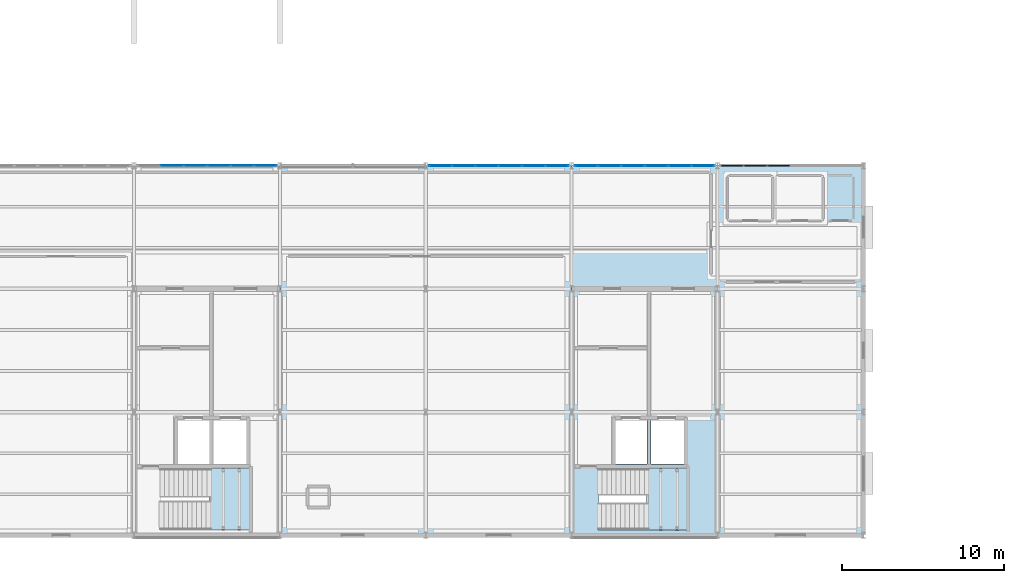
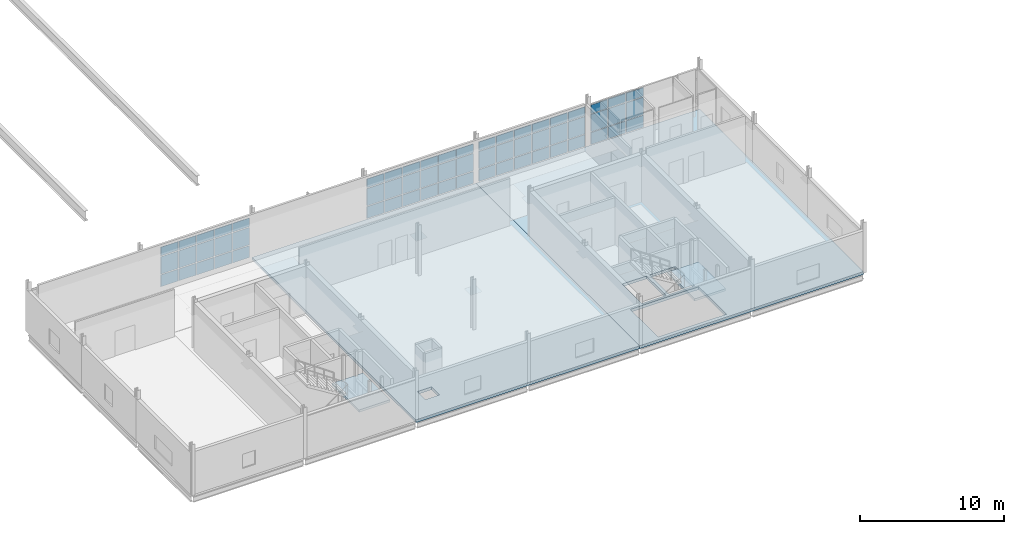
# One storey, part 69 of 96: 60 plates, 4 slabs, 6 elements without a shape of their own.
"""IFC4 building model written with IfcOpenShell, lengths in metres."""

import ifcopenshell
import ifcopenshell.guid

model = None  # the IFC model being written
_history = None  # IfcOwnerHistory: only IFC2X3 demands one
_inside = {}  # id of a spatial element -> (the spatial element, [elements in it])
_under = {}  # id of a project, library or spatial element -> (it, [spatial elements below it])
_declared = {}  # id of a project -> (the project, [libraries it declares])
_typed = {}  # id of a type object -> (the type object, [elements of that type])
_made_of = {}  # id of a material, layer set ... -> (it, [elements and type objects made of it])


def new_model(schema):
    """Start an empty IFC model of exactly this schema.

    Asked for "IFC4X3", IfcOpenShell would pick the latest addendum, in which some entities
    have other attributes; the version numbers below select the first issue.
    IFC2X3 requires an IfcOwnerHistory on every rooted entity: one is made here for all.
    """
    global model, _history
    if schema == "IFC4X3":
        model = ifcopenshell.file(schema_version=(4, 3, 0, 0))
    else:
        model = ifcopenshell.file(schema=schema)
    _inside.clear()
    _under.clear()
    _declared.clear()
    _typed.clear()
    _made_of.clear()
    _history = None
    if model.schema == "IFC2X3":
        org = make("IfcOrganization", Name="unknown")
        user = make(
            "IfcPersonAndOrganization",
            ThePerson=make("IfcPerson", FamilyName="unknown"),
            TheOrganization=org,
        )
        app = make(
            "IfcApplication",
            ApplicationDeveloper=org,
            Version="unknown",
            ApplicationFullName="unknown",
            ApplicationIdentifier="unknown",
        )
        _history = make(
            "IfcOwnerHistory",
            OwningUser=user,
            OwningApplication=app,
            ChangeAction="ADDED",
            CreationDate=0,
        )
    return model


def make(cls, **values):
    """One entity of the class cls with the attributes given. An attribute that is None is left unset."""
    return model.create_entity(
        cls, **{name: value for name, value in values.items() if value is not None}
    )


def rooted(cls, **values):
    """An entity with a GlobalId (a new one), such as an element, a storey or a relation."""
    return make(cls, GlobalId=ifcopenshell.guid.new(), OwnerHistory=_history, **values)


def si_unit(unit_type, name, prefix=None):
    """IfcSIUnit, for example si_unit("LENGTHUNIT", "METRE", prefix="MILLI")."""
    return make("IfcSIUnit", UnitType=unit_type, Prefix=prefix, Name=name)


def assignment(units):
    """IfcUnitAssignment: the units of a project."""
    return None if units is None else make("IfcUnitAssignment", Units=units)


def point(xyz):
    """IfcCartesianPoint."""
    return None if xyz is None else make("IfcCartesianPoint", Coordinates=xyz)


def direction(xyz):
    """IfcDirection."""
    return None if xyz is None else make("IfcDirection", DirectionRatios=xyz)


def frame(location, z_axis=None, x_axis=None):
    """IfcAxis2Placement3D, a coordinate frame: its origin and axes. An axis left out is left unset."""
    return make(
        "IfcAxis2Placement3D",
        Location=point(location),
        Axis=direction(z_axis),
        RefDirection=direction(x_axis),
    )


def frame_2d(location, x_axis=None):
    """IfcAxis2Placement2D, a coordinate frame in the plane: its origin and x axis."""
    return make(
        "IfcAxis2Placement2D", Location=point(location), RefDirection=direction(x_axis)
    )


def origin():
    """The frame at (0, 0, 0) with its axes left unset."""
    return frame((0.0, 0.0, 0.0))


def origin_2d():
    """The frame at (0, 0) in the plane with its x axis left unset."""
    return frame_2d((0.0, 0.0))


def place(relative_to, where):
    """IfcLocalPlacement: puts the frame where relative to a parent placement (None: the world)."""
    return make(
        "IfcLocalPlacement", PlacementRelTo=relative_to, RelativePlacement=where
    )


def context(
    kind, dimensions, precision=None, world=None, true_north=None, identifier=None
):
    """IfcGeometricRepresentationContext, for example the 3D "Model" context."""
    return make(
        "IfcGeometricRepresentationContext",
        ContextIdentifier=identifier,
        ContextType=kind,
        CoordinateSpaceDimension=dimensions,
        Precision=precision,
        WorldCoordinateSystem=world,
        TrueNorth=true_north,
    )


def subcontext(parent, identifier, kind, view, scale=None):
    """IfcGeometricRepresentationSubContext, for example "Body" below "Model"."""
    return make(
        "IfcGeometricRepresentationSubContext",
        ContextIdentifier=identifier,
        ContextType=kind,
        ParentContext=parent,
        TargetScale=scale,
        TargetView=view,
    )


def project(units=None, contexts=None):
    """IfcProject with its units and contexts."""
    return rooted(
        "IfcProject",
        Name="project",
        RepresentationContexts=contexts,
        UnitsInContext=assignment(units),
    )


def spatial(cls, under=None, at=None, **own):
    """A site, building, storey or space (cls), placed at a placement, below another one or the project."""
    s = rooted(cls, ObjectPlacement=at, **own)
    if under is not None:
        _under.setdefault(under.id(), (under, []))[1].append(s)
    return s


def polyline(points):
    """IfcPolyline through the points."""
    return make("IfcPolyline", Points=[point(p) for p in points])


def profile(cls, at=None, kind="AREA", **sizes):
    """A parametric profile (cls). Its sizes go by their IFC names, for example OverallWidth=200.0."""
    return make(cls, ProfileType=kind, Position=at, **sizes)


def rectangle(**sizes):
    """IfcRectangleProfileDef."""
    return profile("IfcRectangleProfileDef", **sizes)


def outline(outer, holes=None, kind="AREA"):
    """IfcArbitraryClosedProfileDef: a profile drawn as a closed curve; with holes, ...WithVoids."""
    if holes is None:
        return make("IfcArbitraryClosedProfileDef", ProfileType=kind, OuterCurve=outer)
    return make(
        "IfcArbitraryProfileDefWithVoids",
        ProfileType=kind,
        OuterCurve=outer,
        InnerCurves=holes,
    )


def extrude(swept, where, along, depth):
    """IfcExtrudedAreaSolid: the profile swept, set in the frame where, extruded along a direction by depth."""
    return make(
        "IfcExtrudedAreaSolid",
        SweptArea=swept,
        Position=where,
        ExtrudedDirection=direction(along),
        Depth=depth,
    )


def shape(context_of_items, identifier, shape_type, items):
    """IfcShapeRepresentation: the items that make up one representation, for example the "Body"."""
    return make(
        "IfcShapeRepresentation",
        ContextOfItems=context_of_items,
        RepresentationIdentifier=identifier,
        RepresentationType=shape_type,
        Items=items,
    )


def material(Name=None, Category=None):
    """IfcMaterial."""
    return make("IfcMaterial", Name=Name, Category=Category)


def layer(
    of_material, thickness, ventilated=None, Name=None, Category=None, Priority=None
):
    """IfcMaterialLayer: one layer of a wall or slab, of a material (None: an air gap)."""
    return make(
        "IfcMaterialLayer",
        Material=of_material,
        LayerThickness=thickness,
        IsVentilated=ventilated,
        Name=Name,
        Category=Category,
        Priority=Priority,
    )


def layer_set(layers, Name=None):
    """IfcMaterialLayerSet."""
    return make("IfcMaterialLayerSet", MaterialLayers=layers, LayerSetName=Name)


def made_of(thing, what):
    """Note that an element or type object is made of a material, layer set ...; save() writes the relation."""
    if what is not None:
        _made_of.setdefault(what.id(), (what, []))[1].append(thing)
    return thing


def type_object(cls, material=None, **own):
    """A type object (cls), such as IfcWallType, which elements share."""
    return made_of(rooted(cls, **own), material)


def element(
    cls,
    number,
    at=None,
    inside=None,
    cuts=None,
    type_object=None,
    material=None,
    context=None,
    identifier="Body",
    shape_type=None,
    held_by="IfcProductDefinitionShape",
    body=None,
    shapes=None,
    **own,
):
    """One element of the class cls, such as IfcWall. Its Tag is "e" and its number.

    at: its placement. inside: the storey or other place that contains it. cuts: it is an
    opening in that element (IfcRelVoidsElement). A single representation is given by context,
    identifier, shape_type and body (its items); several are given by shapes. held_by: the class
    of the entity that holds the representations. save() writes the other relations.
    """
    e = rooted(cls, Tag="e%d" % number, ObjectPlacement=at, **own)
    if body is not None:
        shapes = [shape(context, identifier, shape_type, body)]
    if shapes is not None:
        e.Representation = make(held_by, Representations=shapes)
    if inside is not None:
        _inside.setdefault(inside.id(), (inside, []))[1].append(e)
    if cuts is not None:
        rooted(
            "IfcRelVoidsElement", RelatingBuildingElement=cuts, RelatedOpeningElement=e
        )
    if type_object is not None:
        _typed.setdefault(type_object.id(), (type_object, []))[1].append(e)
    return made_of(e, material)


def aggregate(whole, parts):
    """IfcRelAggregates: a whole, such as a stair, and the parts it consists of."""
    return rooted("IfcRelAggregates", RelatingObject=whole, RelatedObjects=parts)


def save(model, path):
    """Write the relations noted so far, then the file.

    IfcRelAggregates (storeys below a building ...), IfcRelContainedInSpatialStructure (elements
    in a storey), IfcRelDefinesByType, IfcRelAssociatesMaterial and IfcRelDeclares: one each for
    every whole, place, type object, material and project.
    """
    for whole, parts in _under.values():
        aggregate(whole, parts)
    for where, things in _inside.values():
        rooted(
            "IfcRelContainedInSpatialStructure",
            RelatedElements=things,
            RelatingStructure=where,
        )
    for kind, things in _typed.values():
        rooted("IfcRelDefinesByType", RelatedObjects=things, RelatingType=kind)
    for what, things in _made_of.values():
        rooted("IfcRelAssociatesMaterial", RelatedObjects=things, RelatingMaterial=what)
    for by, libraries in _declared.values():
        rooted("IfcRelDeclares", RelatingContext=by, RelatedDefinitions=libraries)
    model.write(path)


model = new_model("IFC4")

# Units and contexts
model_context = context("Model", 3, precision=1e-05, world=origin(), true_north=direction((0.0, 1.0)))
body_context = subcontext(model_context, "Body", "Model", "MODEL_VIEW")
ifc_project = project(units=[si_unit("LENGTHUNIT", "METRE"), si_unit("AREAUNIT", "SQUARE_METRE"), si_unit("VOLUMEUNIT", "CUBIC_METRE"), si_unit("PLANEANGLEUNIT", "RADIAN"), si_unit("MASSUNIT", "GRAM", prefix="KILO")], contexts=[model_context])

# Site, building, storey
site_placement = place(None, origin())
site = spatial("IfcSite", under=ifc_project, at=site_placement, CompositionType="ELEMENT")
building_placement = place(site_placement, origin())
building = spatial("IfcBuilding", under=site, at=building_placement, Name="Caisbarro Railhouse Central Library", CompositionType="ELEMENT")
storey_placement = place(building_placement, frame((0.0, 0.0, 13.679931640625)))
storey = spatial("IfcBuildingStorey", under=building, at=storey_placement, Name="L03", CompositionType="ELEMENT", Elevation=13.679931640625)

# Curtain wall, plates
ifc_material_1 = material(Name="Anodised architectural aluminium", Category="aluminium")
curtain_wall_type = type_object("IfcCurtainWallType", Name="CW-CW02", PredefinedType="NOTDEFINED", material=ifc_material_1)
curtain_wall_1_placement = place(storey_placement, origin())
curtain_wall_1 = element("IfcCurtainWall", 1, at=curtain_wall_1_placement, inside=storey, type_object=curtain_wall_type, Name="CW02 curtain wall L03 #63", PredefinedType="NOTDEFINED")
ifc_material_2 = material(Name="Double low-e laminated solar-control glass", Category="glass")
ifc_layer_1 = layer(ifc_material_2, 0.028076171875, Name="Double low-e laminated solar-control glass")
ifc_layer_set_1 = layer_set([ifc_layer_1], Name="Double low-e laminated solar-control glass")
plate_type_1 = type_object("IfcPlateType", Name="CWP-CP28", PredefinedType="CURTAIN_PANEL", material=ifc_layer_set_1)
plate_1_placement = place(storey_placement, frame((65.330078125, 22.800048828125, 0.0751953125), z_axis=(0.0, 0.0, 1.0), x_axis=(1.0, 0.0, 0.0)))
plate_1 = element("IfcPlate", 2, at=plate_1_placement, type_object=plate_type_1, Name="CW02 panel 2.1", PredefinedType="CURTAIN_PANEL", context=body_context, shape_type="SweptSolid", body=[
    extrude(rectangle(XDim=1.381591796875, YDim=0.028076171875, at=origin_2d()), origin(), (0.0, 0.0, 1.0), 1.007568359375),
])
plate_2_placement = place(storey_placement, frame((65.330078125, 22.800048828125, 1.15771484375), z_axis=(0.0, 0.0, 1.0), x_axis=(1.0, 0.0, 0.0)))
plate_2 = element("IfcPlate", 3, at=plate_2_placement, type_object=plate_type_1, Name="CW02 panel 2.2", PredefinedType="CURTAIN_PANEL", context=body_context, shape_type="SweptSolid", body=[
    extrude(rectangle(XDim=1.381591796875, YDim=0.028076171875, at=origin_2d()), origin(), (0.0, 0.0, 1.0), 1.465087890625),
])
plate_3_placement = place(storey_placement, frame((65.330078125, 22.800048828125, 2.69775390625), z_axis=(0.0, 0.0, 1.0), x_axis=(1.0, 0.0, 0.0)))
plate_3 = element("IfcPlate", 4, at=plate_3_placement, type_object=plate_type_1, Name="CW02 panel 2.3", PredefinedType="CURTAIN_PANEL", context=body_context, shape_type="SweptSolid", body=[
    extrude(rectangle(XDim=1.381591796875, YDim=0.028076171875, at=origin_2d()), origin(), (0.0, 0.0, 1.0), 0.737548828125),
])
plate_4_placement = place(storey_placement, frame((66.776611328125, 22.800048828125, 0.0751953125), z_axis=(0.0, 0.0, 1.0), x_axis=(1.0, 0.0, 0.0)))
plate_4 = element("IfcPlate", 5, at=plate_4_placement, type_object=plate_type_1, Name="CW02 panel 3.1", PredefinedType="CURTAIN_PANEL", context=body_context, shape_type="SweptSolid", body=[
    extrude(rectangle(XDim=1.381591796875, YDim=0.028076171875, at=origin_2d()), origin(), (0.0, 0.0, 1.0), 1.007568359375),
])
plate_5_placement = place(storey_placement, frame((66.776611328125, 22.800048828125, 1.15771484375), z_axis=(0.0, 0.0, 1.0), x_axis=(1.0, 0.0, 0.0)))
plate_5 = element("IfcPlate", 6, at=plate_5_placement, type_object=plate_type_1, Name="CW02 panel 3.2", PredefinedType="CURTAIN_PANEL", context=body_context, shape_type="SweptSolid", body=[
    extrude(rectangle(XDim=1.381591796875, YDim=0.028076171875, at=origin_2d()), origin(), (0.0, 0.0, 1.0), 1.465087890625),
])
plate_6_placement = place(storey_placement, frame((66.776611328125, 22.800048828125, 2.69775390625), z_axis=(0.0, 0.0, 1.0), x_axis=(1.0, 0.0, 0.0)))
plate_6 = element("IfcPlate", 7, at=plate_6_placement, type_object=plate_type_1, Name="CW02 panel 3.3", PredefinedType="CURTAIN_PANEL", context=body_context, shape_type="SweptSolid", body=[
    extrude(rectangle(XDim=1.381591796875, YDim=0.028076171875, at=origin_2d()), origin(), (0.0, 0.0, 1.0), 0.737548828125),
])
plate_7_placement = place(storey_placement, frame((68.223388671875, 22.800048828125, 0.0751953125), z_axis=(0.0, 0.0, 1.0), x_axis=(1.0, 0.0, 0.0)))
plate_7 = element("IfcPlate", 8, at=plate_7_placement, type_object=plate_type_1, Name="CW02 panel 4.1", PredefinedType="CURTAIN_PANEL", context=body_context, shape_type="SweptSolid", body=[
    extrude(rectangle(XDim=1.381591796875, YDim=0.028076171875, at=origin_2d()), origin(), (0.0, 0.0, 1.0), 1.007568359375),
])
plate_8_placement = place(storey_placement, frame((68.223388671875, 22.800048828125, 1.15771484375), z_axis=(0.0, 0.0, 1.0), x_axis=(1.0, 0.0, 0.0)))
plate_8 = element("IfcPlate", 9, at=plate_8_placement, type_object=plate_type_1, Name="CW02 panel 4.2", PredefinedType="CURTAIN_PANEL", context=body_context, shape_type="SweptSolid", body=[
    extrude(rectangle(XDim=1.381591796875, YDim=0.028076171875, at=origin_2d()), origin(), (0.0, 0.0, 1.0), 1.465087890625),
])
plate_9_placement = place(storey_placement, frame((68.223388671875, 22.800048828125, 2.69775390625), z_axis=(0.0, 0.0, 1.0), x_axis=(1.0, 0.0, 0.0)))
plate_9 = element("IfcPlate", 10, at=plate_9_placement, type_object=plate_type_1, Name="CW02 panel 4.3", PredefinedType="CURTAIN_PANEL", context=body_context, shape_type="SweptSolid", body=[
    extrude(rectangle(XDim=1.381591796875, YDim=0.028076171875, at=origin_2d()), origin(), (0.0, 0.0, 1.0), 0.737548828125),
])
plate_10_placement = place(storey_placement, frame((69.669921875, 22.800048828125, 0.0751953125), z_axis=(0.0, 0.0, 1.0), x_axis=(1.0, 0.0, 0.0)))
plate_10 = element("IfcPlate", 11, at=plate_10_placement, type_object=plate_type_1, Name="CW02 panel 5.1", PredefinedType="CURTAIN_PANEL", context=body_context, shape_type="SweptSolid", body=[
    extrude(rectangle(XDim=1.381591796875, YDim=0.028076171875, at=origin_2d()), origin(), (0.0, 0.0, 1.0), 1.007568359375),
])
plate_11_placement = place(storey_placement, frame((69.669921875, 22.800048828125, 1.15771484375), z_axis=(0.0, 0.0, 1.0), x_axis=(1.0, 0.0, 0.0)))
plate_11 = element("IfcPlate", 12, at=plate_11_placement, type_object=plate_type_1, Name="CW02 panel 5.2", PredefinedType="CURTAIN_PANEL", context=body_context, shape_type="SweptSolid", body=[
    extrude(rectangle(XDim=1.381591796875, YDim=0.028076171875, at=origin_2d()), origin(), (0.0, 0.0, 1.0), 1.465087890625),
])
plate_12_placement = place(storey_placement, frame((69.669921875, 22.800048828125, 2.69775390625), z_axis=(0.0, 0.0, 1.0), x_axis=(1.0, 0.0, 0.0)))
plate_12 = element("IfcPlate", 13, at=plate_12_placement, type_object=plate_type_1, Name="CW02 panel 5.3", PredefinedType="CURTAIN_PANEL", context=body_context, shape_type="SweptSolid", body=[
    extrude(rectangle(XDim=1.381591796875, YDim=0.028076171875, at=origin_2d()), origin(), (0.0, 0.0, 1.0), 0.737548828125),
])
plate_13_placement = place(storey_placement, frame((71.100341796875, 22.800048828125, 0.0751953125), z_axis=(0.0, 0.0, 1.0), x_axis=(1.0, 0.0, 0.0)))
plate_13 = element("IfcPlate", 14, at=plate_13_placement, type_object=plate_type_1, Name="CW02 panel 6.1", PredefinedType="CURTAIN_PANEL", context=body_context, shape_type="SweptSolid", body=[
    extrude(rectangle(XDim=1.34912109375, YDim=0.028076171875, at=origin_2d()), origin(), (0.0, 0.0, 1.0), 1.007568359375),
])
plate_14_placement = place(storey_placement, frame((71.100341796875, 22.800048828125, 1.15771484375), z_axis=(0.0, 0.0, 1.0), x_axis=(1.0, 0.0, 0.0)))
plate_14 = element("IfcPlate", 15, at=plate_14_placement, type_object=plate_type_1, Name="CW02 panel 6.2", PredefinedType="CURTAIN_PANEL", context=body_context, shape_type="SweptSolid", body=[
    extrude(rectangle(XDim=1.34912109375, YDim=0.028076171875, at=origin_2d()), origin(), (0.0, 0.0, 1.0), 1.465087890625),
])
plate_15_placement = place(storey_placement, frame((71.100341796875, 22.800048828125, 2.69775390625), z_axis=(0.0, 0.0, 1.0), x_axis=(1.0, 0.0, 0.0)))
plate_15 = element("IfcPlate", 16, at=plate_15_placement, type_object=plate_type_1, Name="CW02 panel 6.3", PredefinedType="CURTAIN_PANEL", context=body_context, shape_type="SweptSolid", body=[
    extrude(rectangle(XDim=1.34912109375, YDim=0.028076171875, at=origin_2d()), origin(), (0.0, 0.0, 1.0), 0.737548828125),
])
aggregate(curtain_wall_1, [plate_1, plate_2, plate_3, plate_4, plate_5, plate_6, plate_7, plate_8, plate_9, plate_10, plate_11, plate_12, plate_13, plate_14, plate_15])

curtain_wall_2_placement = place(storey_placement, origin())
curtain_wall_2 = element("IfcCurtainWall", 17, at=curtain_wall_2_placement, inside=storey, type_object=curtain_wall_type, Name="CW02 curtain wall L03 #64", PredefinedType="NOTDEFINED")
ifc_layer_2 = layer(ifc_material_2, 0.048095703125, Name="Double low-e laminated solar-control glass")
ifc_layer_set_2 = layer_set([ifc_layer_2], Name="Double low-e laminated solar-control glass")
plate_type_2 = type_object("IfcPlateType", Name="CWP-CP48", PredefinedType="CURTAIN_PANEL", material=ifc_layer_set_2)
plate_16_placement = place(storey_placement, frame((81.899658203125, 22.800048828125, 0.0751953125), z_axis=(0.0, 0.0, 1.0), x_axis=(1.0, 0.0, 0.0)))
plate_16 = element("IfcPlate", 18, at=plate_16_placement, type_object=plate_type_2, Name="CW02 panel 1.1", PredefinedType="CURTAIN_PANEL", context=body_context, shape_type="SweptSolid", body=[
    extrude(rectangle(XDim=1.34912109375, YDim=0.048095703125, at=origin_2d()), origin(), (0.0, 0.0, 1.0), 1.007568359375),
])
plate_17_placement = place(storey_placement, frame((81.899658203125, 22.800048828125, 1.15771484375), z_axis=(0.0, 0.0, 1.0), x_axis=(1.0, 0.0, 0.0)))
plate_17 = element("IfcPlate", 19, at=plate_17_placement, type_object=plate_type_2, Name="CW02 panel 1.2", PredefinedType="CURTAIN_PANEL", context=body_context, shape_type="SweptSolid", body=[
    extrude(rectangle(XDim=1.34912109375, YDim=0.048095703125, at=origin_2d()), origin(), (0.0, 0.0, 1.0), 1.465087890625),
])
plate_18_placement = place(storey_placement, frame((81.899658203125, 22.800048828125, 2.69775390625), z_axis=(0.0, 0.0, 1.0), x_axis=(1.0, 0.0, 0.0)))
plate_18 = element("IfcPlate", 20, at=plate_18_placement, type_object=plate_type_2, Name="CW02 panel 1.3", PredefinedType="CURTAIN_PANEL", context=body_context, shape_type="SweptSolid", body=[
    extrude(rectangle(XDim=1.34912109375, YDim=0.048095703125, at=origin_2d()), origin(), (0.0, 0.0, 1.0), 0.737548828125),
])
plate_19_placement = place(storey_placement, frame((83.330078125, 22.800048828125, 0.0751953125), z_axis=(0.0, 0.0, 1.0), x_axis=(1.0, 0.0, 0.0)))
plate_19 = element("IfcPlate", 21, at=plate_19_placement, type_object=plate_type_2, Name="CW02 panel 2.1", PredefinedType="CURTAIN_PANEL", context=body_context, shape_type="SweptSolid", body=[
    extrude(rectangle(XDim=1.381591796875, YDim=0.048095703125, at=origin_2d()), origin(), (0.0, 0.0, 1.0), 1.007568359375),
])
plate_20_placement = place(storey_placement, frame((83.330078125, 22.800048828125, 1.15771484375), z_axis=(0.0, 0.0, 1.0), x_axis=(1.0, 0.0, 0.0)))
plate_20 = element("IfcPlate", 22, at=plate_20_placement, type_object=plate_type_2, Name="CW02 panel 2.2", PredefinedType="CURTAIN_PANEL", context=body_context, shape_type="SweptSolid", body=[
    extrude(rectangle(XDim=1.381591796875, YDim=0.048095703125, at=origin_2d()), origin(), (0.0, 0.0, 1.0), 1.465087890625),
])
plate_21_placement = place(storey_placement, frame((83.330078125, 22.800048828125, 2.69775390625), z_axis=(0.0, 0.0, 1.0), x_axis=(1.0, 0.0, 0.0)))
plate_21 = element("IfcPlate", 23, at=plate_21_placement, type_object=plate_type_2, Name="CW02 panel 2.3", PredefinedType="CURTAIN_PANEL", context=body_context, shape_type="SweptSolid", body=[
    extrude(rectangle(XDim=1.381591796875, YDim=0.048095703125, at=origin_2d()), origin(), (0.0, 0.0, 1.0), 0.737548828125),
])
plate_22_placement = place(storey_placement, frame((84.776611328125, 22.800048828125, 0.0751953125), z_axis=(0.0, 0.0, 1.0), x_axis=(1.0, 0.0, 0.0)))
plate_22 = element("IfcPlate", 24, at=plate_22_placement, type_object=plate_type_2, Name="CW02 panel 3.1", PredefinedType="CURTAIN_PANEL", context=body_context, shape_type="SweptSolid", body=[
    extrude(rectangle(XDim=1.381591796875, YDim=0.048095703125, at=origin_2d()), origin(), (0.0, 0.0, 1.0), 1.007568359375),
])
plate_23_placement = place(storey_placement, frame((84.776611328125, 22.800048828125, 1.15771484375), z_axis=(0.0, 0.0, 1.0), x_axis=(1.0, 0.0, 0.0)))
plate_23 = element("IfcPlate", 25, at=plate_23_placement, type_object=plate_type_2, Name="CW02 panel 3.2", PredefinedType="CURTAIN_PANEL", context=body_context, shape_type="SweptSolid", body=[
    extrude(rectangle(XDim=1.381591796875, YDim=0.048095703125, at=origin_2d()), origin(), (0.0, 0.0, 1.0), 1.465087890625),
])
plate_24_placement = place(storey_placement, frame((84.776611328125, 22.800048828125, 2.69775390625), z_axis=(0.0, 0.0, 1.0), x_axis=(1.0, 0.0, 0.0)))
plate_24 = element("IfcPlate", 26, at=plate_24_placement, type_object=plate_type_2, Name="CW02 panel 3.3", PredefinedType="CURTAIN_PANEL", context=body_context, shape_type="SweptSolid", body=[
    extrude(rectangle(XDim=1.381591796875, YDim=0.048095703125, at=origin_2d()), origin(), (0.0, 0.0, 1.0), 0.737548828125),
])
plate_25_placement = place(storey_placement, frame((86.223388671875, 22.800048828125, 0.0751953125), z_axis=(0.0, 0.0, 1.0), x_axis=(1.0, 0.0, 0.0)))
plate_25 = element("IfcPlate", 27, at=plate_25_placement, type_object=plate_type_2, Name="CW02 panel 4.1", PredefinedType="CURTAIN_PANEL", context=body_context, shape_type="SweptSolid", body=[
    extrude(rectangle(XDim=1.381591796875, YDim=0.048095703125, at=origin_2d()), origin(), (0.0, 0.0, 1.0), 1.007568359375),
])
plate_26_placement = place(storey_placement, frame((86.223388671875, 22.800048828125, 1.15771484375), z_axis=(0.0, 0.0, 1.0), x_axis=(1.0, 0.0, 0.0)))
plate_26 = element("IfcPlate", 28, at=plate_26_placement, type_object=plate_type_2, Name="CW02 panel 4.2", PredefinedType="CURTAIN_PANEL", context=body_context, shape_type="SweptSolid", body=[
    extrude(rectangle(XDim=1.381591796875, YDim=0.048095703125, at=origin_2d()), origin(), (0.0, 0.0, 1.0), 1.465087890625),
])
plate_27_placement = place(storey_placement, frame((86.223388671875, 22.800048828125, 2.69775390625), z_axis=(0.0, 0.0, 1.0), x_axis=(1.0, 0.0, 0.0)))
plate_27 = element("IfcPlate", 29, at=plate_27_placement, type_object=plate_type_2, Name="CW02 panel 4.3", PredefinedType="CURTAIN_PANEL", context=body_context, shape_type="SweptSolid", body=[
    extrude(rectangle(XDim=1.381591796875, YDim=0.048095703125, at=origin_2d()), origin(), (0.0, 0.0, 1.0), 0.737548828125),
])
plate_28_placement = place(storey_placement, frame((87.669921875, 22.800048828125, 0.0751953125), z_axis=(0.0, 0.0, 1.0), x_axis=(1.0, 0.0, 0.0)))
plate_28 = element("IfcPlate", 30, at=plate_28_placement, type_object=plate_type_2, Name="CW02 panel 5.1", PredefinedType="CURTAIN_PANEL", context=body_context, shape_type="SweptSolid", body=[
    extrude(rectangle(XDim=1.381591796875, YDim=0.048095703125, at=origin_2d()), origin(), (0.0, 0.0, 1.0), 1.007568359375),
])
plate_29_placement = place(storey_placement, frame((87.669921875, 22.800048828125, 1.15771484375), z_axis=(0.0, 0.0, 1.0), x_axis=(1.0, 0.0, 0.0)))
plate_29 = element("IfcPlate", 31, at=plate_29_placement, type_object=plate_type_2, Name="CW02 panel 5.2", PredefinedType="CURTAIN_PANEL", context=body_context, shape_type="SweptSolid", body=[
    extrude(rectangle(XDim=1.381591796875, YDim=0.048095703125, at=origin_2d()), origin(), (0.0, 0.0, 1.0), 1.465087890625),
])
plate_30_placement = place(storey_placement, frame((87.669921875, 22.800048828125, 2.69775390625), z_axis=(0.0, 0.0, 1.0), x_axis=(1.0, 0.0, 0.0)))
plate_30 = element("IfcPlate", 32, at=plate_30_placement, type_object=plate_type_2, Name="CW02 panel 5.3", PredefinedType="CURTAIN_PANEL", context=body_context, shape_type="SweptSolid", body=[
    extrude(rectangle(XDim=1.381591796875, YDim=0.048095703125, at=origin_2d()), origin(), (0.0, 0.0, 1.0), 0.737548828125),
])
plate_31_placement = place(storey_placement, frame((89.100341796875, 22.800048828125, 0.0751953125), z_axis=(0.0, 0.0, 1.0), x_axis=(1.0, 0.0, 0.0)))
plate_31 = element("IfcPlate", 33, at=plate_31_placement, type_object=plate_type_2, Name="CW02 panel 6.1", PredefinedType="CURTAIN_PANEL", context=body_context, shape_type="SweptSolid", body=[
    extrude(rectangle(XDim=1.34912109375, YDim=0.048095703125, at=origin_2d()), origin(), (0.0, 0.0, 1.0), 1.007568359375),
])
plate_32_placement = place(storey_placement, frame((89.100341796875, 22.800048828125, 1.15771484375), z_axis=(0.0, 0.0, 1.0), x_axis=(1.0, 0.0, 0.0)))
plate_32 = element("IfcPlate", 34, at=plate_32_placement, type_object=plate_type_2, Name="CW02 panel 6.2", PredefinedType="CURTAIN_PANEL", context=body_context, shape_type="SweptSolid", body=[
    extrude(rectangle(XDim=1.34912109375, YDim=0.048095703125, at=origin_2d()), origin(), (0.0, 0.0, 1.0), 1.465087890625),
])
plate_33_placement = place(storey_placement, frame((89.100341796875, 22.800048828125, 2.69775390625), z_axis=(0.0, 0.0, 1.0), x_axis=(1.0, 0.0, 0.0)))
plate_33 = element("IfcPlate", 35, at=plate_33_placement, type_object=plate_type_2, Name="CW02 panel 6.3", PredefinedType="CURTAIN_PANEL", context=body_context, shape_type="SweptSolid", body=[
    extrude(rectangle(XDim=1.34912109375, YDim=0.048095703125, at=origin_2d()), origin(), (0.0, 0.0, 1.0), 0.737548828125),
])
aggregate(curtain_wall_2, [plate_16, plate_17, plate_18, plate_19, plate_20, plate_21, plate_22, plate_23, plate_24, plate_25, plate_26, plate_27, plate_28, plate_29, plate_30, plate_31, plate_32, plate_33])

curtain_wall_3_placement = place(storey_placement, origin())
curtain_wall_3 = element("IfcCurtainWall", 36, at=curtain_wall_3_placement, inside=storey, type_object=curtain_wall_type, Name="CW02 curtain wall L03 #65", PredefinedType="NOTDEFINED")
ifc_layer_3 = layer(ifc_material_2, 0.05810546875, Name="Double low-e laminated solar-control glass")
ifc_layer_set_3 = layer_set([ifc_layer_3], Name="Double low-e laminated solar-control glass")
plate_type_3 = type_object("IfcPlateType", Name="CWP-CP58", PredefinedType="CURTAIN_PANEL", material=ifc_layer_set_3)
plate_34_placement = place(storey_placement, frame((90.902099609375, 22.800048828125, 0.0751953125), z_axis=(0.0, 0.0, 1.0), x_axis=(1.0, 0.0, 0.0)))
plate_34 = element("IfcPlate", 37, at=plate_34_placement, type_object=plate_type_3, Name="CW02 panel 1.1", PredefinedType="CURTAIN_PANEL", context=body_context, shape_type="SweptSolid", body=[
    extrude(rectangle(XDim=1.334228515625, YDim=0.05810546875, at=origin_2d()), origin(), (0.0, 0.0, 1.0), 1.007568359375),
])
plate_35_placement = place(storey_placement, frame((90.902099609375, 22.800048828125, 1.15771484375), z_axis=(0.0, 0.0, 1.0), x_axis=(1.0, 0.0, 0.0)))
plate_35 = element("IfcPlate", 38, at=plate_35_placement, type_object=plate_type_3, Name="CW02 panel 1.2", PredefinedType="CURTAIN_PANEL", context=body_context, shape_type="SweptSolid", body=[
    extrude(rectangle(XDim=1.334228515625, YDim=0.05810546875, at=origin_2d()), origin(), (0.0, 0.0, 1.0), 1.465087890625),
])
plate_36_placement = place(storey_placement, frame((90.902099609375, 22.800048828125, 2.69775390625), z_axis=(0.0, 0.0, 1.0), x_axis=(1.0, 0.0, 0.0)))
plate_36 = element("IfcPlate", 39, at=plate_36_placement, type_object=plate_type_3, Name="CW02 panel 1.3", PredefinedType="CURTAIN_PANEL", context=body_context, shape_type="SweptSolid", body=[
    extrude(rectangle(XDim=1.334228515625, YDim=0.05810546875, at=origin_2d()), origin(), (0.0, 0.0, 1.0), 0.737548828125),
])
plate_37_placement = place(storey_placement, frame((92.330078125, 22.800048828125, 0.0751953125), z_axis=(0.0, 0.0, 1.0), x_axis=(1.0, 0.0, 0.0)))
plate_37 = element("IfcPlate", 40, at=plate_37_placement, type_object=plate_type_3, Name="CW02 panel 2.1", PredefinedType="CURTAIN_PANEL", context=body_context, shape_type="SweptSolid", body=[
    extrude(rectangle(XDim=1.37158203125, YDim=0.05810546875, at=origin_2d()), origin(), (0.0, 0.0, 1.0), 1.007568359375),
])
plate_38_placement = place(storey_placement, frame((92.330078125, 22.800048828125, 1.15771484375), z_axis=(0.0, 0.0, 1.0), x_axis=(1.0, 0.0, 0.0)))
plate_38 = element("IfcPlate", 41, at=plate_38_placement, type_object=plate_type_3, Name="CW02 panel 2.2", PredefinedType="CURTAIN_PANEL", context=body_context, shape_type="SweptSolid", body=[
    extrude(rectangle(XDim=1.37158203125, YDim=0.05810546875, at=origin_2d()), origin(), (0.0, 0.0, 1.0), 1.465087890625),
])
plate_39_placement = place(storey_placement, frame((92.330078125, 22.800048828125, 2.69775390625), z_axis=(0.0, 0.0, 1.0), x_axis=(1.0, 0.0, 0.0)))
plate_39 = element("IfcPlate", 42, at=plate_39_placement, type_object=plate_type_3, Name="CW02 panel 2.3", PredefinedType="CURTAIN_PANEL", context=body_context, shape_type="SweptSolid", body=[
    extrude(rectangle(XDim=1.37158203125, YDim=0.05810546875, at=origin_2d()), origin(), (0.0, 0.0, 1.0), 0.737548828125),
])
plate_40_placement = place(storey_placement, frame((93.776611328125, 22.800048828125, 0.0751953125), z_axis=(0.0, 0.0, 1.0), x_axis=(1.0, 0.0, 0.0)))
plate_40 = element("IfcPlate", 43, at=plate_40_placement, type_object=plate_type_3, Name="CW02 panel 3.1", PredefinedType="CURTAIN_PANEL", context=body_context, shape_type="SweptSolid", body=[
    extrude(rectangle(XDim=1.37158203125, YDim=0.05810546875, at=origin_2d()), origin(), (0.0, 0.0, 1.0), 1.007568359375),
])
plate_41_placement = place(storey_placement, frame((93.776611328125, 22.800048828125, 1.15771484375), z_axis=(0.0, 0.0, 1.0), x_axis=(1.0, 0.0, 0.0)))
plate_41 = element("IfcPlate", 44, at=plate_41_placement, type_object=plate_type_3, Name="CW02 panel 3.2", PredefinedType="CURTAIN_PANEL", context=body_context, shape_type="SweptSolid", body=[
    extrude(rectangle(XDim=1.37158203125, YDim=0.05810546875, at=origin_2d()), origin(), (0.0, 0.0, 1.0), 1.465087890625),
])
plate_42_placement = place(storey_placement, frame((93.776611328125, 22.800048828125, 2.69775390625), z_axis=(0.0, 0.0, 1.0), x_axis=(1.0, 0.0, 0.0)))
plate_42 = element("IfcPlate", 45, at=plate_42_placement, type_object=plate_type_3, Name="CW02 panel 3.3", PredefinedType="CURTAIN_PANEL", context=body_context, shape_type="SweptSolid", body=[
    extrude(rectangle(XDim=1.37158203125, YDim=0.05810546875, at=origin_2d()), origin(), (0.0, 0.0, 1.0), 0.737548828125),
])
plate_43_placement = place(storey_placement, frame((95.223388671875, 22.800048828125, 0.0751953125), z_axis=(0.0, 0.0, 1.0), x_axis=(1.0, 0.0, 0.0)))
plate_43 = element("IfcPlate", 46, at=plate_43_placement, type_object=plate_type_3, Name="CW02 panel 4.1", PredefinedType="CURTAIN_PANEL", context=body_context, shape_type="SweptSolid", body=[
    extrude(rectangle(XDim=1.37158203125, YDim=0.05810546875, at=origin_2d()), origin(), (0.0, 0.0, 1.0), 1.007568359375),
])
plate_44_placement = place(storey_placement, frame((95.223388671875, 22.800048828125, 1.15771484375), z_axis=(0.0, 0.0, 1.0), x_axis=(1.0, 0.0, 0.0)))
plate_44 = element("IfcPlate", 47, at=plate_44_placement, type_object=plate_type_3, Name="CW02 panel 4.2", PredefinedType="CURTAIN_PANEL", context=body_context, shape_type="SweptSolid", body=[
    extrude(rectangle(XDim=1.37158203125, YDim=0.05810546875, at=origin_2d()), origin(), (0.0, 0.0, 1.0), 1.465087890625),
])
plate_45_placement = place(storey_placement, frame((95.223388671875, 22.800048828125, 2.69775390625), z_axis=(0.0, 0.0, 1.0), x_axis=(1.0, 0.0, 0.0)))
plate_45 = element("IfcPlate", 48, at=plate_45_placement, type_object=plate_type_3, Name="CW02 panel 4.3", PredefinedType="CURTAIN_PANEL", context=body_context, shape_type="SweptSolid", body=[
    extrude(rectangle(XDim=1.37158203125, YDim=0.05810546875, at=origin_2d()), origin(), (0.0, 0.0, 1.0), 0.737548828125),
])
plate_46_placement = place(storey_placement, frame((96.669921875, 22.800048828125, 0.0751953125), z_axis=(0.0, 0.0, 1.0), x_axis=(1.0, 0.0, 0.0)))
plate_46 = element("IfcPlate", 49, at=plate_46_placement, type_object=plate_type_3, Name="CW02 panel 5.1", PredefinedType="CURTAIN_PANEL", context=body_context, shape_type="SweptSolid", body=[
    extrude(rectangle(XDim=1.37158203125, YDim=0.05810546875, at=origin_2d()), origin(), (0.0, 0.0, 1.0), 1.007568359375),
])
plate_47_placement = place(storey_placement, frame((96.669921875, 22.800048828125, 1.15771484375), z_axis=(0.0, 0.0, 1.0), x_axis=(1.0, 0.0, 0.0)))
plate_47 = element("IfcPlate", 50, at=plate_47_placement, type_object=plate_type_3, Name="CW02 panel 5.2", PredefinedType="CURTAIN_PANEL", context=body_context, shape_type="SweptSolid", body=[
    extrude(rectangle(XDim=1.37158203125, YDim=0.05810546875, at=origin_2d()), origin(), (0.0, 0.0, 1.0), 1.465087890625),
])
plate_48_placement = place(storey_placement, frame((96.669921875, 22.800048828125, 2.69775390625), z_axis=(0.0, 0.0, 1.0), x_axis=(1.0, 0.0, 0.0)))
plate_48 = element("IfcPlate", 51, at=plate_48_placement, type_object=plate_type_3, Name="CW02 panel 5.3", PredefinedType="CURTAIN_PANEL", context=body_context, shape_type="SweptSolid", body=[
    extrude(rectangle(XDim=1.37158203125, YDim=0.05810546875, at=origin_2d()), origin(), (0.0, 0.0, 1.0), 0.737548828125),
])
plate_49_placement = place(storey_placement, frame((98.097900390625, 22.800048828125, 0.0751953125), z_axis=(0.0, 0.0, 1.0), x_axis=(1.0, 0.0, 0.0)))
plate_49 = element("IfcPlate", 52, at=plate_49_placement, type_object=plate_type_3, Name="CW02 panel 6.1", PredefinedType="CURTAIN_PANEL", context=body_context, shape_type="SweptSolid", body=[
    extrude(rectangle(XDim=1.334228515625, YDim=0.05810546875, at=origin_2d()), origin(), (0.0, 0.0, 1.0), 1.007568359375),
])
plate_50_placement = place(storey_placement, frame((98.097900390625, 22.800048828125, 1.15771484375), z_axis=(0.0, 0.0, 1.0), x_axis=(1.0, 0.0, 0.0)))
plate_50 = element("IfcPlate", 53, at=plate_50_placement, type_object=plate_type_3, Name="CW02 panel 6.2", PredefinedType="CURTAIN_PANEL", context=body_context, shape_type="SweptSolid", body=[
    extrude(rectangle(XDim=1.334228515625, YDim=0.05810546875, at=origin_2d()), origin(), (0.0, 0.0, 1.0), 1.465087890625),
])
plate_51_placement = place(storey_placement, frame((98.097900390625, 22.800048828125, 2.69775390625), z_axis=(0.0, 0.0, 1.0), x_axis=(1.0, 0.0, 0.0)))
plate_51 = element("IfcPlate", 54, at=plate_51_placement, type_object=plate_type_3, Name="CW02 panel 6.3", PredefinedType="CURTAIN_PANEL", context=body_context, shape_type="SweptSolid", body=[
    extrude(rectangle(XDim=1.334228515625, YDim=0.05810546875, at=origin_2d()), origin(), (0.0, 0.0, 1.0), 0.737548828125),
])
aggregate(curtain_wall_3, [plate_34, plate_35, plate_36, plate_37, plate_38, plate_39, plate_40, plate_41, plate_42, plate_43, plate_44, plate_45, plate_46, plate_47, plate_48, plate_49, plate_50, plate_51])

curtain_wall_4_placement = place(storey_placement, origin())
curtain_wall_4 = element("IfcCurtainWall", 55, at=curtain_wall_4_placement, inside=storey, type_object=curtain_wall_type, Name="CW02 curtain wall L03 #66", PredefinedType="NOTDEFINED")
ifc_layer_4 = layer(ifc_material_2, 0.068115234375, Name="Double low-e laminated solar-control glass")
ifc_layer_set_4 = layer_set([ifc_layer_4], Name="Double low-e laminated solar-control glass")
plate_type_4 = type_object("IfcPlateType", Name="CWP-CP68", PredefinedType="CURTAIN_PANEL", material=ifc_layer_set_4)
plate_52_placement = place(storey_placement, frame((99.899658203125, 22.800048828125, 0.0751953125), z_axis=(0.0, 0.0, 1.0), x_axis=(1.0, 0.0, 0.0)))
plate_52 = element("IfcPlate", 56, at=plate_52_placement, type_object=plate_type_4, Name="CW02 panel 1.1", PredefinedType="CURTAIN_PANEL", context=body_context, shape_type="SweptSolid", body=[
    extrude(rectangle(XDim=1.34912109375, YDim=0.068115234375, at=origin_2d()), origin(), (0.0, 0.0, 1.0), 1.007568359375),
])
plate_53_placement = place(storey_placement, frame((99.899658203125, 22.800048828125, 1.15771484375), z_axis=(0.0, 0.0, 1.0), x_axis=(1.0, 0.0, 0.0)))
plate_53 = element("IfcPlate", 57, at=plate_53_placement, type_object=plate_type_4, Name="CW02 panel 1.2", PredefinedType="CURTAIN_PANEL", context=body_context, shape_type="SweptSolid", body=[
    extrude(rectangle(XDim=1.34912109375, YDim=0.068115234375, at=origin_2d()), origin(), (0.0, 0.0, 1.0), 1.465087890625),
])
plate_54_placement = place(storey_placement, frame((99.899658203125, 22.800048828125, 2.69775390625), z_axis=(0.0, 0.0, 1.0), x_axis=(1.0, 0.0, 0.0)))
plate_54 = element("IfcPlate", 58, at=plate_54_placement, type_object=plate_type_4, Name="CW02 panel 1.3", PredefinedType="CURTAIN_PANEL", context=body_context, shape_type="SweptSolid", body=[
    extrude(rectangle(XDim=1.34912109375, YDim=0.068115234375, at=origin_2d()), origin(), (0.0, 0.0, 1.0), 0.737548828125),
])
plate_55_placement = place(storey_placement, frame((101.330078125, 22.800048828125, 0.0751953125), z_axis=(0.0, 0.0, 1.0), x_axis=(1.0, 0.0, 0.0)))
plate_55 = element("IfcPlate", 59, at=plate_55_placement, type_object=plate_type_4, Name="CW02 panel 2.1", PredefinedType="CURTAIN_PANEL", context=body_context, shape_type="SweptSolid", body=[
    extrude(rectangle(XDim=1.381591796875, YDim=0.068115234375, at=origin_2d()), origin(), (0.0, 0.0, 1.0), 1.007568359375),
])
plate_56_placement = place(storey_placement, frame((101.330078125, 22.800048828125, 1.15771484375), z_axis=(0.0, 0.0, 1.0), x_axis=(1.0, 0.0, 0.0)))
plate_56 = element("IfcPlate", 60, at=plate_56_placement, type_object=plate_type_4, Name="CW02 panel 2.2", PredefinedType="CURTAIN_PANEL", context=body_context, shape_type="SweptSolid", body=[
    extrude(rectangle(XDim=1.381591796875, YDim=0.068115234375, at=origin_2d()), origin(), (0.0, 0.0, 1.0), 1.465087890625),
])
plate_57_placement = place(storey_placement, frame((101.330078125, 22.800048828125, 2.69775390625), z_axis=(0.0, 0.0, 1.0), x_axis=(1.0, 0.0, 0.0)))
plate_57 = element("IfcPlate", 61, at=plate_57_placement, type_object=plate_type_4, Name="CW02 panel 2.3", PredefinedType="CURTAIN_PANEL", context=body_context, shape_type="SweptSolid", body=[
    extrude(rectangle(XDim=1.381591796875, YDim=0.068115234375, at=origin_2d()), origin(), (0.0, 0.0, 1.0), 0.737548828125),
])
plate_58_placement = place(storey_placement, frame((102.776611328125, 22.800048828125, 0.0751953125), z_axis=(0.0, 0.0, 1.0), x_axis=(1.0, 0.0, 0.0)))
plate_58 = element("IfcPlate", 62, at=plate_58_placement, type_object=plate_type_4, Name="CW02 panel 3.1", PredefinedType="CURTAIN_PANEL", context=body_context, shape_type="SweptSolid", body=[
    extrude(rectangle(XDim=1.381591796875, YDim=0.068115234375, at=origin_2d()), origin(), (0.0, 0.0, 1.0), 1.007568359375),
])
plate_59_placement = place(storey_placement, frame((102.776611328125, 22.800048828125, 1.15771484375), z_axis=(0.0, 0.0, 1.0), x_axis=(1.0, 0.0, 0.0)))
plate_59 = element("IfcPlate", 63, at=plate_59_placement, type_object=plate_type_4, Name="CW02 panel 3.2", PredefinedType="CURTAIN_PANEL", context=body_context, shape_type="SweptSolid", body=[
    extrude(rectangle(XDim=1.381591796875, YDim=0.068115234375, at=origin_2d()), origin(), (0.0, 0.0, 1.0), 1.465087890625),
])
plate_60_placement = place(storey_placement, frame((102.776611328125, 22.800048828125, 2.69775390625), z_axis=(0.0, 0.0, 1.0), x_axis=(1.0, 0.0, 0.0)))
plate_60 = element("IfcPlate", 64, at=plate_60_placement, type_object=plate_type_4, Name="CW02 panel 3.3", PredefinedType="CURTAIN_PANEL", context=body_context, shape_type="SweptSolid", body=[
    extrude(rectangle(XDim=1.381591796875, YDim=0.068115234375, at=origin_2d()), origin(), (0.0, 0.0, 1.0), 0.737548828125),
])
aggregate(curtain_wall_4, [plate_52, plate_53, plate_54, plate_55, plate_56, plate_57, plate_58, plate_59, plate_60])

# Slabs
ifc_material_3 = material(Name="Concrete C35", Category="concrete")
ifc_layer_5 = layer(ifc_material_3, 0.239990234375, Name="Concrete C35")
ifc_layer_set_5 = layer_set([ifc_layer_5], Name="Concrete C35")
slab_type_1 = type_object("IfcSlabType", Name="SLB-FL24", PredefinedType="FLOOR", material=ifc_layer_set_5)
slab_1_placement = place(storey_placement, frame((0.0, 0.0, -0.239990234375)))
element("IfcSlab", 65, at=slab_1_placement, inside=storey, type_object=slab_type_1, Name="SF24 structural slab L03 V5.2", PredefinedType="FLOOR", context=body_context, shape_type="SweptSolid", body=[
    extrude(outline(polyline([(72.0, 0.0), (90.0, 0.0), (90.0, 22.800048828125), (72.0, 22.800048828125), (72.0, 0.0)]), holes=[polyline([(73.800048828125, 1.800048828125), (74.9599609375, 1.800048828125), (74.9599609375, 2.919921875), (73.800048828125, 2.919921875), (73.800048828125, 1.800048828125)])]), origin(), (0.0, 0.0, 1.0), 0.239990234375),
])
slab_2_placement = place(storey_placement, frame((0.0, 0.0, -0.239990234375)))
element("IfcSlab", 66, at=slab_2_placement, inside=storey, type_object=slab_type_1, Name="SF24 structural slab L03 V5.3", PredefinedType="FLOOR", context=body_context, shape_type="SweptSolid", body=[
    extrude(outline(polyline([(90.0, 0.0), (108.0, 0.0), (108.0, 22.800048828125), (90.0, 22.800048828125), (90.0, 0.0)]), holes=[polyline([(91.64990234375, 0.300048828125), (97.14990234375, 0.300048828125), (97.14990234375, 4.14990234375), (91.64990234375, 4.14990234375), (91.64990234375, 0.300048828125)]), polyline([(92.699951171875, 4.39990234375), (94.64990234375, 4.39990234375), (94.64990234375, 7.10009765625), (92.699951171875, 7.10009765625), (92.699951171875, 4.39990234375)]), polyline([(94.89990234375, 4.39990234375), (96.949951171875, 4.39990234375), (96.949951171875, 7.10009765625), (94.89990234375, 7.10009765625), (94.89990234375, 4.39990234375)])]), origin(), (0.0, 0.0, 1.0), 0.239990234375),
])

# Stair, slab
stair_type_1 = type_object("IfcStairType", Name="STR-ST43C", PredefinedType="HALF_TURN_STAIR", material=ifc_material_3)
stair_1_placement = place(storey_placement, origin())
stair_1 = element("IfcStair", 67, at=stair_1_placement, inside=storey, type_object=stair_type_1, Name="Protected Stair ST-01 (L03)", PredefinedType="HALF_TURN_STAIR")
ifc_layer_6 = layer(ifc_material_3, 0.18994140625, Name="Concrete C35")
ifc_layer_set_6 = layer_set([ifc_layer_6], Name="Concrete C35")
slab_type_2 = type_object("IfcSlabType", Name="SLB-LND19", PredefinedType="LANDING", material=ifc_layer_set_6)
slab_3_placement = place(storey_placement, frame((0.0, 0.0, 1.969970703125)))
slab_3 = element("IfcSlab", 68, at=slab_3_placement, type_object=slab_type_2, Name="ST-01 landing 1", PredefinedType="LANDING", context=body_context, shape_type="SweptSolid", body=[
    extrude(outline(polyline([(67.6201171875, 0.340087890625), (70.1201171875, 0.340087890625), (70.1201171875, 4.110107421875), (67.6201171875, 4.110107421875), (67.6201171875, 0.340087890625)])), origin(), (0.0, 0.0, 1.0), 0.190185546875),
])
aggregate(stair_1, [slab_3])

stair_type_2 = type_object("IfcStairType", Name="STR-ST43A", PredefinedType="HALF_TURN_STAIR", material=ifc_material_3)
stair_2_placement = place(storey_placement, origin())
stair_2 = element("IfcStair", 69, at=stair_2_placement, inside=storey, type_object=stair_type_2, Name="Protected Stair ST-02 (L03)", PredefinedType="HALF_TURN_STAIR")
slab_4_placement = place(storey_placement, frame((0.0, 0.0, 1.969970703125)))
slab_4 = element("IfcSlab", 70, at=slab_4_placement, type_object=slab_type_2, Name="ST-02 landing 1", PredefinedType="LANDING", context=body_context, shape_type="SweptSolid", body=[
    extrude(outline(polyline([(94.6201171875, 0.340087890625), (97.1201171875, 0.340087890625), (97.1201171875, 4.110107421875), (94.6201171875, 4.110107421875), (94.6201171875, 0.340087890625)])), origin(), (0.0, 0.0, 1.0), 0.190185546875),
])
aggregate(stair_2, [slab_4])

save(model, "model.ifc")
